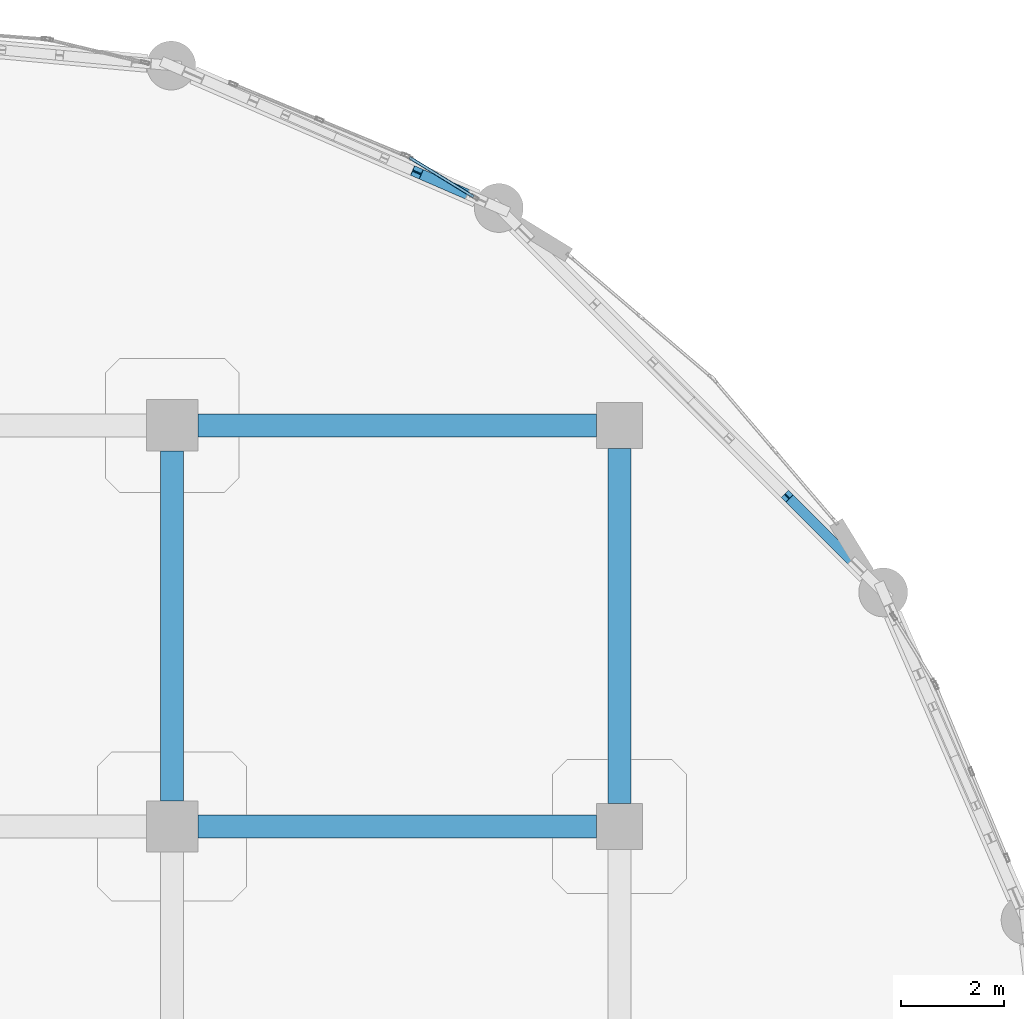
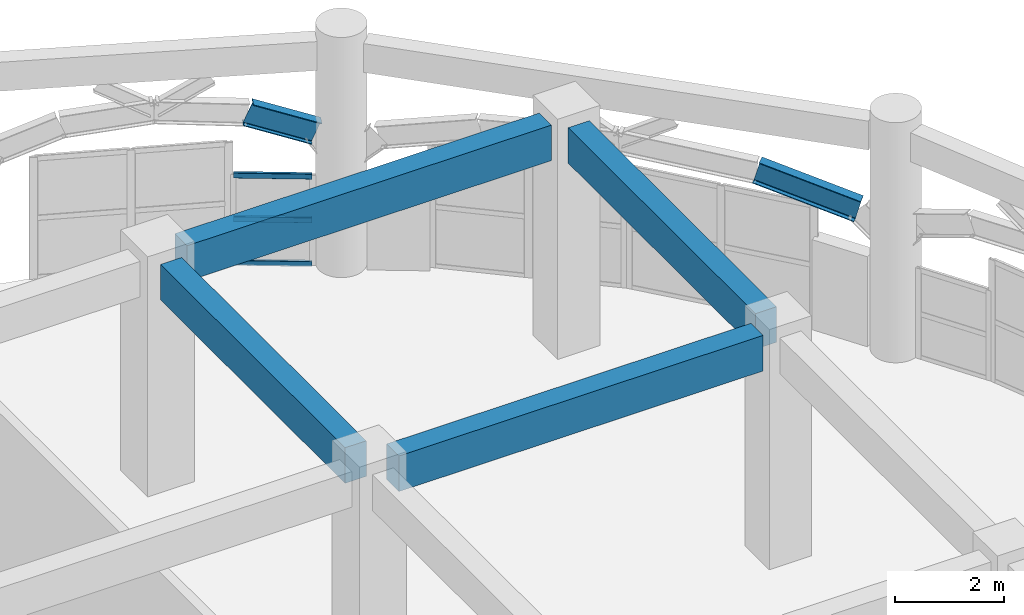
# One storey, part 75 of 114: 6 beams, 3 members, 1 element without a shape of its own.
"""IFC4 building model written with IfcOpenShell, lengths in metres."""

from ifc_helpers import new_model, si_unit, derived_unit, direction, frame, origin, origin_2d, place, context, subcontext, project, spatial, rectangle, hollow_rectangle, i_section, extrude, material, layer, layer_set, material_profile, profile_set, type_object, element, aggregate, save


model = new_model("IFC4")

# Units and contexts
model_context = context("Model", 3, precision=1e-05, world=origin(), true_north=direction((0.0, 1.0)))
body_context = subcontext(model_context, "Body", "Model", "MODEL_VIEW")
ifc_project = project(units=[si_unit("LENGTHUNIT", "METRE"), si_unit("AREAUNIT", "SQUARE_METRE"), si_unit("VOLUMEUNIT", "CUBIC_METRE"), si_unit("PLANEANGLEUNIT", "RADIAN"), si_unit("MASSUNIT", "GRAM", prefix="KILO"), derived_unit("THERMALTRANSMITTANCEUNIT", [(si_unit("MASSUNIT", "GRAM", prefix="KILO"), 1), (si_unit("TIMEUNIT", "SECOND"), -3), (si_unit("THERMODYNAMICTEMPERATUREUNIT", "KELVIN"), -1)])], contexts=[model_context])

# Site, building, storey
site_placement = place(None, origin())
site = spatial("IfcSite", under=ifc_project, at=site_placement, CompositionType="ELEMENT")
building_placement = place(site_placement, origin())
building = spatial("IfcBuilding", under=site, at=building_placement, Name="Qinzheling Arcade Emporium", CompositionType="ELEMENT")
storey_placement = place(building_placement, frame((0.0, 0.0, 6.0)))
storey = spatial("IfcBuildingStorey", under=building, at=storey_placement, Name="L02", CompositionType="ELEMENT", Elevation=6.0)

# Beams
ifc_material_1 = material(Name="Weathering steel Q355NH", Category="steel")
ifc_material_profile_1 = material_profile(ifc_material_1, i_section(OverallWidth=0.199951171875, OverallDepth=0.5, WebThickness=0.010009765625, FlangeThickness=0.01611328125, FilletRadius=0.01806640625, at=origin_2d()), Name="HN 500x200x10x16", Category="steel")
ifc_profile_set_1 = profile_set([ifc_material_profile_1], Name="Weathering steel Q355NH")
beam_type_1 = type_object("IfcBeamType", Name="Arcade End Arch Rib HN500 Q355NH", PredefinedType="BEAM", material=ifc_profile_set_1)
beam_1_placement = place(storey_placement, frame((143.827880859375, 104.053955078125, 3.001953125), z_axis=(-0.682635799585, 0.682757633567, 0.26048105292), x_axis=(-0.707169873471, -0.707043683272, 0.0)))
element("IfcBeam", 1, at=beam_1_placement, inside=storey, type_object=beam_type_1, Name="Curved Arcade Entrance Arch ARC-L02-CV6-B03-C02", PredefinedType="BEAM", context=body_context, shape_type="SweptSolid", body=[
    extrude(i_section(OverallWidth=0.199951171875, OverallDepth=0.5, WebThickness=0.010009765625, FlangeThickness=0.01611328125, FilletRadius=0.01806640625, at=origin_2d()), origin(), (0.0, 0.0, 1.0), 2.00390625),
])
beam_2_placement = place(storey_placement, frame((136.426025390625, 111.215087890625, 3.001953125), z_axis=(-0.848613804577, 0.368159087748, 0.379886162937), x_axis=(-0.397995520684, -0.917387358489, 0.0)))
element("IfcBeam", 2, at=beam_2_placement, inside=storey, type_object=beam_type_1, Name="Curved Arcade Entrance Arch ARC-L02-CV6-B04-C02", PredefinedType="BEAM", context=body_context, shape_type="SweptSolid", body=[
    extrude(i_section(OverallWidth=0.199951171875, OverallDepth=0.5, WebThickness=0.010009765625, FlangeThickness=0.01611328125, FilletRadius=0.01806640625, at=origin_2d()), origin(), (0.0, 0.0, 1.0), 1.3740234375),
])

# Curtain wall, members
ifc_material_2 = material(Name="Anodised aluminium and solar-control double glazing", Category="aluminium")
ifc_layer = layer(ifc_material_2, 0.159912109375, Name="Anodised aluminium and solar-control double glazing", Category="aluminium")
ifc_layer_set = layer_set([ifc_layer], Name="Anodised aluminium and solar-control double glazing")
curtain_wall_type = type_object("IfcCurtainWallType", Name="Curved Ribbon Sales Curtain Wall", PredefinedType="NOTDEFINED", material=ifc_layer_set)
curtain_wall_placement = place(storey_placement, origin())
curtain_wall = element("IfcCurtainWall", 3, at=curtain_wall_placement, inside=storey, type_object=curtain_wall_type, Name="Curtain Wall CW-L02-106", PredefinedType="NOTDEFINED")
ifc_material_3 = material(Name="Anodised aluminium 6063-T6", Category="aluminium")
ifc_material_profile_2 = material_profile(ifc_material_3, hollow_rectangle(XDim=0.06005859375, YDim=0.1201171875, WallThickness=0.00390625, InnerFilletRadius=0.00390625, OuterFilletRadius=0.008056640625, at=origin_2d()), Name="RHS 120x60x4", Category="aluminium")
ifc_profile_set_2 = profile_set([ifc_material_profile_2], Name="Anodised aluminium 6063-T6")
member_type = type_object("IfcMemberType", Name="Curtain Wall Transom RHS120x60", PredefinedType="USERDEFINED", material=ifc_profile_set_2)
member_1_placement = place(storey_placement, frame((135.1201171875, 112.007568359375, 0.030029296875), z_axis=(0.852707591975, -0.522388516899, 0.0), x_axis=(0.522388516899, 0.852707591975, 0.0)))
member_1 = element("IfcMember", 4, at=member_1_placement, type_object=member_type, Name="CW02 transom 1.1", ObjectType="TRANSOM", PredefinedType="USERDEFINED", context=body_context, shape_type="SweptSolid", body=[
    extrude(hollow_rectangle(XDim=0.06005859375, YDim=0.1201171875, WallThickness=0.00390625, InnerFilletRadius=0.00390625, OuterFilletRadius=0.008056640625, at=origin_2d()), origin(), (0.0, 0.0, 1.0), 1.45166015625),
])
member_2_placement = place(storey_placement, frame((135.1201171875, 112.007568359375, 1.012939453125), z_axis=(0.852707591975, -0.522388516899, 0.0), x_axis=(0.522388516899, 0.852707591975, 0.0)))
member_2 = element("IfcMember", 5, at=member_2_placement, type_object=member_type, Name="CW02 transom 1.2", ObjectType="TRANSOM", PredefinedType="USERDEFINED", context=body_context, shape_type="SweptSolid", body=[
    extrude(hollow_rectangle(XDim=0.06005859375, YDim=0.1201171875, WallThickness=0.00390625, InnerFilletRadius=0.00390625, OuterFilletRadius=0.008056640625, at=origin_2d()), origin(), (0.0, 0.0, 1.0), 1.45166015625),
])
member_3_placement = place(storey_placement, frame((135.1201171875, 112.007568359375, 1.9951171875), z_axis=(0.852707591975, -0.522388516899, 0.0), x_axis=(0.522388516899, 0.852707591975, 0.0)))
member_3 = element("IfcMember", 6, at=member_3_placement, type_object=member_type, Name="CW02 transom 1.3", ObjectType="TRANSOM", PredefinedType="USERDEFINED", context=body_context, shape_type="SweptSolid", body=[
    extrude(hollow_rectangle(XDim=0.06005859375, YDim=0.1201171875, WallThickness=0.00390625, InnerFilletRadius=0.00390625, OuterFilletRadius=0.008056640625, at=origin_2d()), origin(), (0.0, 0.0, 1.0), 1.45166015625),
])
aggregate(curtain_wall, [member_1, member_2, member_3])

# Beams
ifc_material_4 = material(Name="Concrete C40", Category="concrete")
ifc_material_profile_3 = material_profile(ifc_material_4, rectangle(XDim=0.449951171875, YDim=0.800048828125, at=origin_2d()), Name="RC 450x800", Category="concrete")
ifc_profile_set_3 = profile_set([ifc_material_profile_3], Name="Concrete C40")
beam_type_2 = type_object("IfcBeamType", Name="RC Primary Frame Beam 450x800 C40", PredefinedType="BEAM", material=ifc_profile_set_3)
for number, where, z_axis, x_axis, name in (
    (7, (131.0, 99.0, 4.735107421875), (1.0, 0.0, 0.0), (0.0, 1.0, 0.0), "Beam BM-L02-X-M-16"),
    (8, (131.0, 106.800048828125, 4.735107421875), (1.0, 0.0, 0.0), (0.0, 1.0, 0.0), "Beam BM-L02-X-N-16"),
):
    element("IfcBeam", number, at=place(storey_placement, frame(where, z_axis=z_axis, x_axis=x_axis)), inside=storey, type_object=beam_type_2, Name=name, PredefinedType="BEAM", context=body_context, shape_type="SweptSolid", body=[
        extrude(rectangle(XDim=0.449951171875, YDim=0.800048828125, at=origin_2d()), origin(), (0.0, 0.0, 1.0), 7.75),
    ])
beam_3_placement = place(storey_placement, frame((130.5, 99.5, 4.735107421875), z_axis=(0.0, 1.0, 0.0), x_axis=(-1.0, 0.0, 0.0)))
element("IfcBeam", 9, at=beam_3_placement, inside=storey, type_object=beam_type_2, Name="Beam BM-L02-Y-16-M", PredefinedType="BEAM", context=body_context, shape_type="SweptSolid", body=[
    extrude(rectangle(XDim=0.449951171875, YDim=0.800048828125, at=origin_2d()), origin(), (0.0, 0.0, 1.0), 6.800048828125),
])
beam_4_placement = place(storey_placement, frame((139.199951171875, 99.449951171875, 4.735107421875), z_axis=(0.0, 1.0, 0.0), x_axis=(-1.0, 0.0, 0.0)))
element("IfcBeam", 10, at=beam_4_placement, inside=storey, type_object=beam_type_2, Name="Beam BM-L02-Y-17-M", PredefinedType="BEAM", context=body_context, shape_type="SweptSolid", body=[
    extrude(rectangle(XDim=0.449951171875, YDim=0.800048828125, at=origin_2d()), origin(), (0.0, 0.0, 1.0), 6.900146484375),
])

save(model, "model.ifc")
